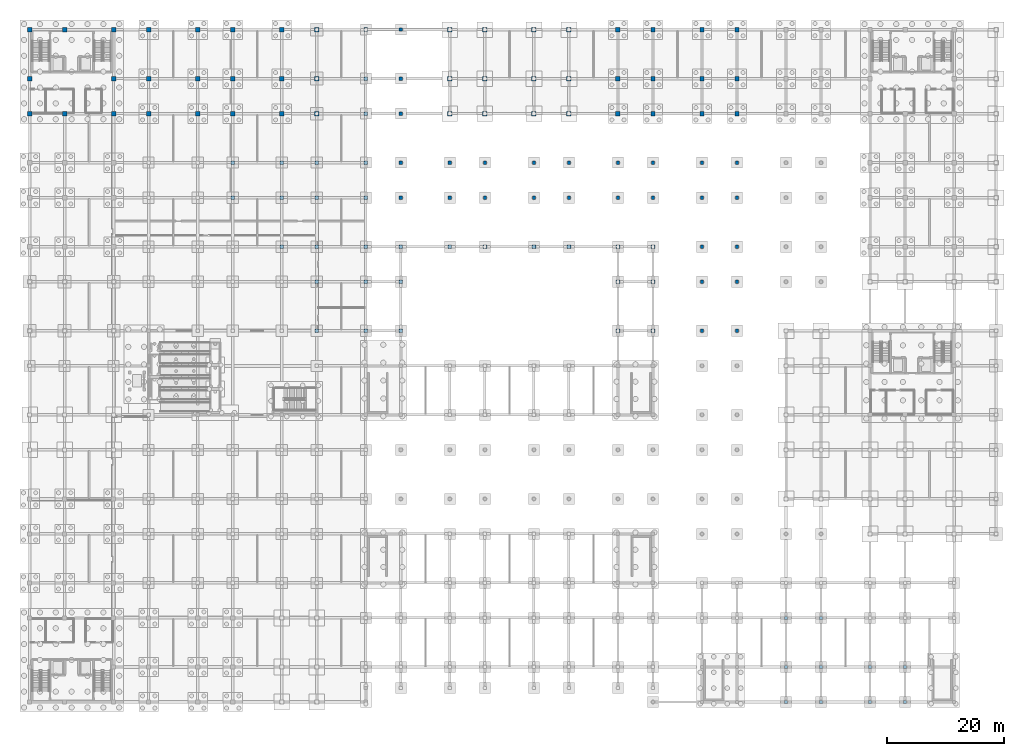
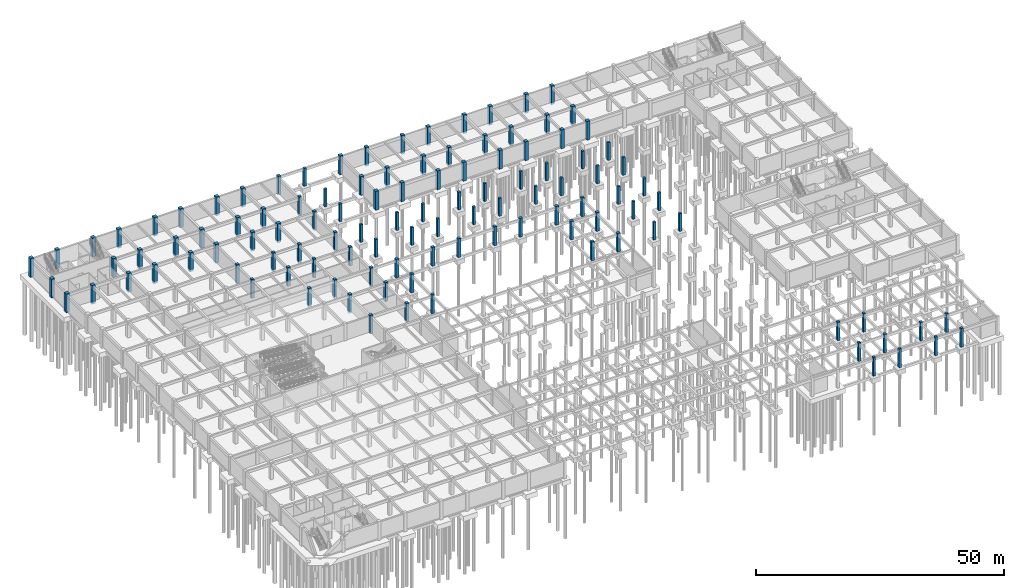
# One storey, part 15 of 40: 115 columns.
"""IFC4 building model written with IfcOpenShell, lengths in metres."""

from ifc_helpers import new_model, si_unit, direction, frame, origin, origin_2d, place, context, subcontext, project, spatial, rectangle, extrude, material, material_profile, profile_set, type_object, element, save


model = new_model("IFC4")

# Units and contexts
model_context = context("Model", 3, precision=1e-05, world=origin(), true_north=direction((0.0, 1.0)))
body_context = subcontext(model_context, "Body", "Model", "MODEL_VIEW")
ifc_project = project(units=[si_unit("LENGTHUNIT", "METRE"), si_unit("AREAUNIT", "SQUARE_METRE"), si_unit("VOLUMEUNIT", "CUBIC_METRE"), si_unit("PLANEANGLEUNIT", "RADIAN"), si_unit("MASSUNIT", "GRAM", prefix="KILO"), si_unit("THERMODYNAMICTEMPERATUREUNIT", "KELVIN")], contexts=[model_context])

# Site, building, storey
site_placement = place(None, origin())
site = spatial("IfcSite", under=ifc_project, at=site_placement, CompositionType="ELEMENT")
building_placement = place(site_placement, origin())
building = spatial("IfcBuilding", under=site, at=building_placement, Name="Thalorik Housing Commons", CompositionType="ELEMENT")
storey_placement = place(building_placement, frame((0.0, 0.0, -4.199951171875)))
storey = spatial("IfcBuildingStorey", under=building, at=storey_placement, Name="B1", CompositionType="ELEMENT", Elevation=-4.199951171875)

# Columns
ifc_material = material(Name="Precast concrete C40/50", Category="concrete")
ifc_material_profile_1 = material_profile(ifc_material, rectangle(XDim=0.550048828125, YDim=0.550048828125, at=origin_2d()), Name="PC 550x550", Category="concrete")
ifc_profile_set_1 = profile_set([ifc_material_profile_1], Name="Precast concrete C40/50")
column_type_1 = type_object("IfcColumnType", Name="STR-COL-PC550", PredefinedType="COLUMN", material=ifc_profile_set_1)
for number, where, z_axis, x_axis, name in (
    (1, (138.0, 8.39990234375, -0.449951171875), (0.0, 0.0, 1.0), (1.0, 0.0, 0.0), "B1 Column C-550"),
    (2, (138.0, 14.39990234375, -0.449951171875), (0.0, 0.0, 1.0), (1.0, 0.0, 0.0), "B1 Column C-550"),
    (3, (138.0, 22.800048828125, -0.449951171875), (0.0, 0.0, 1.0), (1.0, 0.0, 0.0), "B1 Column C-550"),
    (4, (144.0, 8.39990234375, -0.449951171875), (0.0, 0.0, 1.0), (1.0, 0.0, 0.0), "B1 Column C-550"),
    (5, (144.0, 14.39990234375, -0.449951171875), (0.0, 0.0, 1.0), (1.0, 0.0, 0.0), "B1 Column C-550"),
    (6, (144.0, 22.800048828125, -0.449951171875), (0.0, 0.0, 1.0), (1.0, 0.0, 0.0), "B1 Column C-550"),
    (7, (152.39990234375, 8.39990234375, -0.449951171875), (0.0, 0.0, 1.0), (1.0, 0.0, 0.0), "B1 Column C-550"),
    (8, (152.39990234375, 14.39990234375, -0.449951171875), (0.0, 0.0, 1.0), (1.0, 0.0, 0.0), "B1 Column C-550"),
    (9, (158.39990234375, 8.39990234375, -0.449951171875), (0.0, 0.0, 1.0), (1.0, 0.0, 0.0), "B1 Column C-550"),
    (10, (158.39990234375, 14.39990234375, -0.449951171875), (0.0, 0.0, 1.0), (1.0, 0.0, 0.0), "B1 Column C-550"),
):
    element("IfcColumn", number, at=place(storey_placement, frame(where, z_axis=z_axis, x_axis=x_axis)), inside=storey, type_object=column_type_1, Name=name, PredefinedType="COLUMN", context=body_context, shape_type="SweptSolid", body=[
        extrude(rectangle(XDim=0.550048828125, YDim=0.550048828125, at=origin_2d()), origin(), (0.0, 0.0, 1.0), 4.64990234375),
    ])
for number, where, z_axis, x_axis, name in (
    (11, (72.0, 94.800048828125, -0.449951171875), (0.0, 0.0, 1.0), (1.0, 0.0, 0.0), "B1 Plaza Support Pier 3"),
    (12, (72.0, 100.800048828125, -0.449951171875), (0.0, 0.0, 1.0), (1.0, 0.0, 0.0), "B1 Plaza Support Pier 4"),
    (13, (72.0, 109.199951171875, -0.449951171875), (0.0, 0.0, 1.0), (1.0, 0.0, 0.0), "B1 Plaza Support Pier 5"),
    (14, (72.0, 115.199951171875, -0.449951171875), (0.0, 0.0, 1.0), (1.0, 0.0, 0.0), "B1 Plaza Support Pier 6"),
    (15, (72.0, 123.60009765625, -0.449951171875), (0.0, 0.0, 1.0), (1.0, 0.0, 0.0), "B1 Plaza Support Pier 7"),
    (16, (80.39990234375, 94.800048828125, -0.449951171875), (0.0, 0.0, 1.0), (1.0, 0.0, 0.0), "B1 Plaza Support Pier 10"),
    (17, (80.39990234375, 100.800048828125, -0.449951171875), (0.0, 0.0, 1.0), (1.0, 0.0, 0.0), "B1 Plaza Support Pier 11"),
    (18, (86.39990234375, 94.800048828125, -0.449951171875), (0.0, 0.0, 1.0), (1.0, 0.0, 0.0), "B1 Plaza Support Pier 14"),
    (19, (86.39990234375, 100.800048828125, -0.449951171875), (0.0, 0.0, 1.0), (1.0, 0.0, 0.0), "B1 Plaza Support Pier 15"),
    (20, (94.800048828125, 94.800048828125, -0.449951171875), (0.0, 0.0, 1.0), (1.0, 0.0, 0.0), "B1 Plaza Support Pier 18"),
    (21, (94.800048828125, 100.800048828125, -0.449951171875), (0.0, 0.0, 1.0), (1.0, 0.0, 0.0), "B1 Plaza Support Pier 19"),
    (22, (100.800048828125, 94.800048828125, -0.449951171875), (0.0, 0.0, 1.0), (1.0, 0.0, 0.0), "B1 Plaza Support Pier 22"),
    (23, (100.800048828125, 100.800048828125, -0.449951171875), (0.0, 0.0, 1.0), (1.0, 0.0, 0.0), "B1 Plaza Support Pier 23"),
    (24, (109.199951171875, 94.800048828125, -0.449951171875), (0.0, 0.0, 1.0), (1.0, 0.0, 0.0), "B1 Plaza Support Pier 26"),
    (25, (109.199951171875, 100.800048828125, -0.449951171875), (0.0, 0.0, 1.0), (1.0, 0.0, 0.0), "B1 Plaza Support Pier 27"),
    (26, (115.199951171875, 94.800048828125, -0.449951171875), (0.0, 0.0, 1.0), (1.0, 0.0, 0.0), "B1 Plaza Support Pier 31"),
    (27, (115.199951171875, 100.800048828125, -0.449951171875), (0.0, 0.0, 1.0), (1.0, 0.0, 0.0), "B1 Plaza Support Pier 32"),
    (28, (123.60009765625, 72.0, -0.449951171875), (0.0, 0.0, 1.0), (1.0, 0.0, 0.0), "B1 Plaza Support Pier 38"),
    (29, (123.60009765625, 80.39990234375, -0.449951171875), (0.0, 0.0, 1.0), (1.0, 0.0, 0.0), "B1 Plaza Support Pier 39"),
    (30, (123.60009765625, 86.39990234375, -0.449951171875), (0.0, 0.0, 1.0), (1.0, 0.0, 0.0), "B1 Plaza Support Pier 40"),
    (31, (123.60009765625, 94.800048828125, -0.449951171875), (0.0, 0.0, 1.0), (1.0, 0.0, 0.0), "B1 Plaza Support Pier 41"),
    (32, (123.60009765625, 100.800048828125, -0.449951171875), (0.0, 0.0, 1.0), (1.0, 0.0, 0.0), "B1 Plaza Support Pier 42"),
    (33, (129.60009765625, 72.0, -0.449951171875), (0.0, 0.0, 1.0), (1.0, 0.0, 0.0), "B1 Plaza Support Pier 48"),
    (34, (129.60009765625, 80.39990234375, -0.449951171875), (0.0, 0.0, 1.0), (1.0, 0.0, 0.0), "B1 Plaza Support Pier 49"),
    (35, (129.60009765625, 86.39990234375, -0.449951171875), (0.0, 0.0, 1.0), (1.0, 0.0, 0.0), "B1 Plaza Support Pier 50"),
    (36, (129.60009765625, 94.800048828125, -0.449951171875), (0.0, 0.0, 1.0), (1.0, 0.0, 0.0), "B1 Plaza Support Pier 51"),
    (37, (129.60009765625, 100.800048828125, -0.449951171875), (0.0, 0.0, 1.0), (1.0, 0.0, 0.0), "B1 Plaza Support Pier 52"),
):
    element("IfcColumn", number, at=place(storey_placement, frame(where, z_axis=z_axis, x_axis=x_axis)), inside=storey, type_object=column_type_1, Name=name, PredefinedType="COLUMN", context=body_context, shape_type="SweptSolid", body=[
        extrude(rectangle(XDim=0.550048828125, YDim=0.550048828125, at=origin_2d()), origin(), (0.0, 0.0, 1.0), 4.39990234375),
    ])
ifc_material_profile_2 = material_profile(ifc_material, rectangle(XDim=0.64990234375, YDim=0.64990234375, at=origin_2d()), Name="PC 650x650", Category="concrete")
ifc_profile_set_2 = profile_set([ifc_material_profile_2], Name="Precast concrete C40/50")
column_type_2 = type_object("IfcColumnType", Name="STR-COL-PC650", PredefinedType="COLUMN", material=ifc_profile_set_2)
for number, where, z_axis, x_axis, name in (
    (38, (43.199951171875, 94.800048828125, -0.449951171875), (0.0, 0.0, 1.0), (1.0, 0.0, 0.0), "B1 Column C-650"),
    (39, (43.199951171875, 100.800048828125, -0.449951171875), (0.0, 0.0, 1.0), (1.0, 0.0, 0.0), "B1 Column C-650"),
    (40, (51.60009765625, 86.39990234375, -0.449951171875), (0.0, 0.0, 1.0), (1.0, 0.0, 0.0), "B1 Column C-650"),
    (41, (51.60009765625, 94.800048828125, -0.449951171875), (0.0, 0.0, 1.0), (1.0, 0.0, 0.0), "B1 Column C-650"),
    (42, (51.60009765625, 100.800048828125, -0.449951171875), (0.0, 0.0, 1.0), (1.0, 0.0, 0.0), "B1 Column C-650"),
    (43, (57.60009765625, 72.0, -0.449951171875), (0.0, 0.0, 1.0), (1.0, 0.0, 0.0), "B1 Column C-650"),
    (44, (57.60009765625, 80.39990234375, -0.449951171875), (0.0, 0.0, 1.0), (1.0, 0.0, 0.0), "B1 Column C-650"),
    (45, (57.60009765625, 86.39990234375, -0.449951171875), (0.0, 0.0, 1.0), (1.0, 0.0, 0.0), "B1 Column C-650"),
    (46, (57.60009765625, 94.800048828125, -0.449951171875), (0.0, 0.0, 1.0), (1.0, 0.0, 0.0), "B1 Column C-650"),
    (47, (57.60009765625, 100.800048828125, -0.449951171875), (0.0, 0.0, 1.0), (1.0, 0.0, 0.0), "B1 Column C-650"),
    (48, (66.0, 72.0, -0.449951171875), (0.0, 0.0, 1.0), (1.0, 0.0, 0.0), "B1 Column C-650"),
    (49, (66.0, 80.39990234375, -0.449951171875), (0.0, 0.0, 1.0), (1.0, 0.0, 0.0), "B1 Column C-650"),
    (50, (66.0, 86.39990234375, -0.449951171875), (0.0, 0.0, 1.0), (1.0, 0.0, 0.0), "B1 Column C-650"),
    (51, (66.0, 94.800048828125, -0.449951171875), (0.0, 0.0, 1.0), (1.0, 0.0, 0.0), "B1 Column C-650"),
    (52, (66.0, 100.800048828125, -0.449951171875), (0.0, 0.0, 1.0), (1.0, 0.0, 0.0), "B1 Column C-650"),
    (53, (66.0, 109.199951171875, -0.449951171875), (0.0, 0.0, 1.0), (1.0, 0.0, 0.0), "B1 Column C-650"),
    (54, (66.0, 115.199951171875, -0.449951171875), (0.0, 0.0, 1.0), (1.0, 0.0, 0.0), "B1 Column C-650"),
    (55, (66.0, 123.60009765625, -0.449951171875), (0.0, 0.0, 1.0), (1.0, 0.0, 0.0), "B1 Column C-650"),
    (56, (72.0, 72.0, -0.449951171875), (0.0, 0.0, 1.0), (1.0, 0.0, 0.0), "B1 Column C-650"),
    (57, (72.0, 80.39990234375, -0.449951171875), (0.0, 0.0, 1.0), (1.0, 0.0, 0.0), "B1 Column C-650"),
    (58, (72.0, 86.39990234375, -0.449951171875), (0.0, 0.0, 1.0), (1.0, 0.0, 0.0), "B1 Column C-650"),
    (59, (80.39990234375, 86.39990234375, -0.449951171875), (0.0, 0.0, 1.0), (1.0, 0.0, 0.0), "B1 Column C-650"),
    (60, (86.39990234375, 86.39990234375, -0.449951171875), (0.0, 0.0, 1.0), (1.0, 0.0, 0.0), "B1 Column C-650"),
    (61, (94.800048828125, 86.39990234375, -0.449951171875), (0.0, 0.0, 1.0), (1.0, 0.0, 0.0), "B1 Column C-650"),
    (62, (100.800048828125, 86.39990234375, -0.449951171875), (0.0, 0.0, 1.0), (1.0, 0.0, 0.0), "B1 Column C-650"),
    (63, (109.199951171875, 72.0, -0.449951171875), (0.0, 0.0, 1.0), (1.0, 0.0, 0.0), "B1 Column C-650"),
    (64, (109.199951171875, 80.39990234375, -0.449951171875), (0.0, 0.0, 1.0), (1.0, 0.0, 0.0), "B1 Column C-650"),
    (65, (109.199951171875, 86.39990234375, -0.449951171875), (0.0, 0.0, 1.0), (1.0, 0.0, 0.0), "B1 Column C-650"),
    (66, (115.199951171875, 72.0, -0.449951171875), (0.0, 0.0, 1.0), (1.0, 0.0, 0.0), "B1 Column C-650"),
    (67, (115.199951171875, 80.39990234375, -0.449951171875), (0.0, 0.0, 1.0), (1.0, 0.0, 0.0), "B1 Column C-650"),
    (68, (115.199951171875, 86.39990234375, -0.449951171875), (0.0, 0.0, 1.0), (1.0, 0.0, 0.0), "B1 Column C-650"),
):
    element("IfcColumn", number, at=place(storey_placement, frame(where, z_axis=z_axis, x_axis=x_axis)), inside=storey, type_object=column_type_2, Name=name, PredefinedType="COLUMN", context=body_context, shape_type="SweptSolid", body=[
        extrude(rectangle(XDim=0.64990234375, YDim=0.64990234375, at=origin_2d()), origin(), (0.0, 0.0, 1.0), 4.64990234375),
    ])
ifc_material_profile_3 = material_profile(ifc_material, rectangle(XDim=0.75, YDim=0.75, at=origin_2d()), Name="PC 750x750", Category="concrete")
ifc_profile_set_3 = profile_set([ifc_material_profile_3], Name="Precast concrete C40/50")
column_type_3 = type_object("IfcColumnType", Name="STR-COL-PC750", PredefinedType="COLUMN", material=ifc_profile_set_3)
for number, where, z_axis, x_axis, name in (
    (69, (80.39990234375, 109.199951171875, -0.449951171875), (0.0, 0.0, 1.0), (1.0, 0.0, 0.0), "B1 Column C-750"),
    (70, (80.39990234375, 115.199951171875, -0.449951171875), (0.0, 0.0, 1.0), (1.0, 0.0, 0.0), "B1 Column C-750"),
    (71, (80.39990234375, 123.60009765625, -0.449951171875), (0.0, 0.0, 1.0), (1.0, 0.0, 0.0), "B1 Column C-750"),
    (72, (86.39990234375, 109.199951171875, -0.449951171875), (0.0, 0.0, 1.0), (1.0, 0.0, 0.0), "B1 Column C-750"),
    (73, (86.39990234375, 115.199951171875, -0.449951171875), (0.0, 0.0, 1.0), (1.0, 0.0, 0.0), "B1 Column C-750"),
    (74, (86.39990234375, 123.60009765625, -0.449951171875), (0.0, 0.0, 1.0), (1.0, 0.0, 0.0), "B1 Column C-750"),
    (75, (94.800048828125, 109.199951171875, -0.449951171875), (0.0, 0.0, 1.0), (1.0, 0.0, 0.0), "B1 Column C-750"),
    (76, (94.800048828125, 115.199951171875, -0.449951171875), (0.0, 0.0, 1.0), (1.0, 0.0, 0.0), "B1 Column C-750"),
    (77, (94.800048828125, 123.60009765625, -0.449951171875), (0.0, 0.0, 1.0), (1.0, 0.0, 0.0), "B1 Column C-750"),
    (78, (100.800048828125, 109.199951171875, -0.449951171875), (0.0, 0.0, 1.0), (1.0, 0.0, 0.0), "B1 Column C-750"),
    (79, (100.800048828125, 115.199951171875, -0.449951171875), (0.0, 0.0, 1.0), (1.0, 0.0, 0.0), "B1 Column C-750"),
    (80, (100.800048828125, 123.60009765625, -0.449951171875), (0.0, 0.0, 1.0), (1.0, 0.0, 0.0), "B1 Column C-750"),
    (81, (109.199951171875, 109.199951171875, -0.449951171875), (0.0, 0.0, 1.0), (1.0, 0.0, 0.0), "B1 Column C-750"),
    (82, (109.199951171875, 115.199951171875, -0.449951171875), (0.0, 0.0, 1.0), (1.0, 0.0, 0.0), "B1 Column C-750"),
    (83, (109.199951171875, 123.60009765625, -0.449951171875), (0.0, 0.0, 1.0), (1.0, 0.0, 0.0), "B1 Column C-750"),
    (84, (115.199951171875, 109.199951171875, -0.449951171875), (0.0, 0.0, 1.0), (1.0, 0.0, 0.0), "B1 Column C-750"),
    (85, (115.199951171875, 115.199951171875, -0.449951171875), (0.0, 0.0, 1.0), (1.0, 0.0, 0.0), "B1 Column C-750"),
    (86, (115.199951171875, 123.60009765625, -0.449951171875), (0.0, 0.0, 1.0), (1.0, 0.0, 0.0), "B1 Column C-750"),
    (87, (123.60009765625, 109.199951171875, -0.449951171875), (0.0, 0.0, 1.0), (1.0, 0.0, 0.0), "B1 Column C-750"),
    (88, (123.60009765625, 115.199951171875, -0.449951171875), (0.0, 0.0, 1.0), (1.0, 0.0, 0.0), "B1 Column C-750"),
    (89, (123.60009765625, 123.60009765625, -0.449951171875), (0.0, 0.0, 1.0), (1.0, 0.0, 0.0), "B1 Column C-750"),
    (90, (129.60009765625, 109.199951171875, -0.449951171875), (0.0, 0.0, 1.0), (1.0, 0.0, 0.0), "B1 Column C-750"),
    (91, (129.60009765625, 115.199951171875, -0.449951171875), (0.0, 0.0, 1.0), (1.0, 0.0, 0.0), "B1 Column C-750"),
    (92, (129.60009765625, 123.60009765625, -0.449951171875), (0.0, 0.0, 1.0), (1.0, 0.0, 0.0), "B1 Column C-750"),
):
    element("IfcColumn", number, at=place(storey_placement, frame(where, z_axis=z_axis, x_axis=x_axis)), inside=storey, type_object=column_type_3, Name=name, PredefinedType="COLUMN", context=body_context, shape_type="SweptSolid", body=[
        extrude(rectangle(XDim=0.75, YDim=0.75, at=origin_2d()), origin(), (0.0, 0.0, 1.0), 4.64990234375),
    ])
ifc_material_profile_4 = material_profile(ifc_material, rectangle(XDim=0.800048828125, YDim=0.800048828125, at=origin_2d()), Name="PC 800x800", Category="concrete")
ifc_profile_set_4 = profile_set([ifc_material_profile_4], Name="Precast concrete C40/50")
column_type_4 = type_object("IfcColumnType", Name="STR-COL-PC800", PredefinedType="COLUMN", material=ifc_profile_set_4)
for number, where, z_axis, x_axis, name in (
    (93, (8.39990234375, 109.199951171875, -0.449951171875), (0.0, 0.0, 1.0), (1.0, 0.0, 0.0), "B1 Column C-800"),
    (94, (8.39990234375, 115.199951171875, -0.449951171875), (0.0, 0.0, 1.0), (1.0, 0.0, 0.0), "B1 Column C-800"),
    (95, (8.39990234375, 123.60009765625, -0.449951171875), (0.0, 0.0, 1.0), (1.0, 0.0, 0.0), "B1 Column C-800"),
    (96, (14.39990234375, 109.199951171875, -0.449951171875), (0.0, 0.0, 1.0), (1.0, 0.0, 0.0), "B1 Column C-800"),
    (97, (14.39990234375, 123.60009765625, -0.449951171875), (0.0, 0.0, 1.0), (1.0, 0.0, 0.0), "B1 Column C-800"),
    (98, (22.800048828125, 109.199951171875, -0.449951171875), (0.0, 0.0, 1.0), (1.0, 0.0, 0.0), "B1 Column C-800"),
    (99, (22.800048828125, 115.199951171875, -0.449951171875), (0.0, 0.0, 1.0), (1.0, 0.0, 0.0), "B1 Column C-800"),
    (100, (22.800048828125, 123.60009765625, -0.449951171875), (0.0, 0.0, 1.0), (1.0, 0.0, 0.0), "B1 Column C-800"),
    (101, (28.800048828125, 109.199951171875, -0.449951171875), (0.0, 0.0, 1.0), (1.0, 0.0, 0.0), "B1 Column C-800"),
    (102, (28.800048828125, 115.199951171875, -0.449951171875), (0.0, 0.0, 1.0), (1.0, 0.0, 0.0), "B1 Column C-800"),
    (103, (28.800048828125, 123.60009765625, -0.449951171875), (0.0, 0.0, 1.0), (1.0, 0.0, 0.0), "B1 Column C-800"),
    (104, (37.199951171875, 109.199951171875, -0.449951171875), (0.0, 0.0, 1.0), (1.0, 0.0, 0.0), "B1 Column C-800"),
    (105, (37.199951171875, 115.199951171875, -0.449951171875), (0.0, 0.0, 1.0), (1.0, 0.0, 0.0), "B1 Column C-800"),
    (106, (37.199951171875, 123.60009765625, -0.449951171875), (0.0, 0.0, 1.0), (1.0, 0.0, 0.0), "B1 Column C-800"),
    (107, (43.199951171875, 109.199951171875, -0.449951171875), (0.0, 0.0, 1.0), (1.0, 0.0, 0.0), "B1 Column C-800"),
    (108, (43.199951171875, 115.199951171875, -0.449951171875), (0.0, 0.0, 1.0), (1.0, 0.0, 0.0), "B1 Column C-800"),
    (109, (43.199951171875, 123.60009765625, -0.449951171875), (0.0, 0.0, 1.0), (1.0, 0.0, 0.0), "B1 Column C-800"),
    (110, (51.60009765625, 109.199951171875, -0.449951171875), (0.0, 0.0, 1.0), (1.0, 0.0, 0.0), "B1 Column C-800"),
    (111, (51.60009765625, 115.199951171875, -0.449951171875), (0.0, 0.0, 1.0), (1.0, 0.0, 0.0), "B1 Column C-800"),
    (112, (51.60009765625, 123.60009765625, -0.449951171875), (0.0, 0.0, 1.0), (1.0, 0.0, 0.0), "B1 Column C-800"),
    (113, (57.60009765625, 109.199951171875, -0.449951171875), (0.0, 0.0, 1.0), (1.0, 0.0, 0.0), "B1 Column C-800"),
    (114, (57.60009765625, 115.199951171875, -0.449951171875), (0.0, 0.0, 1.0), (1.0, 0.0, 0.0), "B1 Column C-800"),
    (115, (57.60009765625, 123.60009765625, -0.449951171875), (0.0, 0.0, 1.0), (1.0, 0.0, 0.0), "B1 Column C-800"),
):
    element("IfcColumn", number, at=place(storey_placement, frame(where, z_axis=z_axis, x_axis=x_axis)), inside=storey, type_object=column_type_4, Name=name, PredefinedType="COLUMN", context=body_context, shape_type="SweptSolid", body=[
        extrude(rectangle(XDim=0.800048828125, YDim=0.800048828125, at=origin_2d()), origin(), (0.0, 0.0, 1.0), 4.64990234375),
    ])

save(model, "model.ifc")
